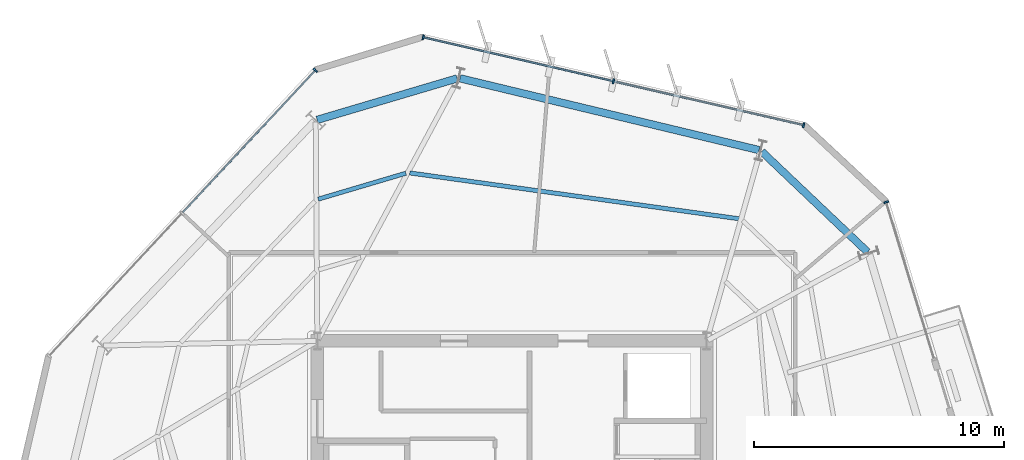
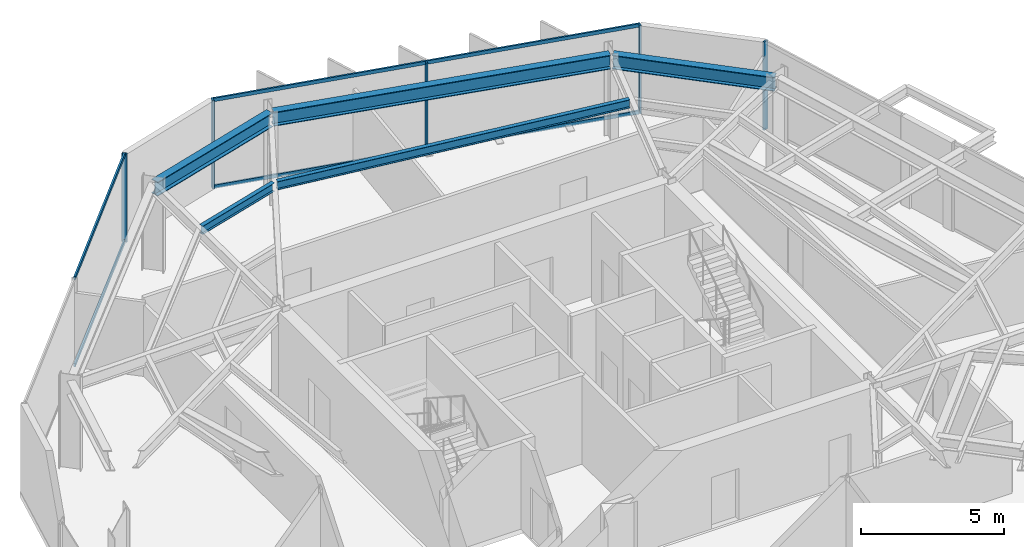
# One storey, part 5 of 11: 11 members, 5 beams, 3 elements without a shape of their own.
"""IFC4 building model written with IfcOpenShell, lengths in metres."""

from ifc_helpers import new_model, si_unit, direction, frame, origin, origin_2d, place, context, subcontext, project, spatial, rectangle, i_section, extrude, material, layer, layer_set, material_profile, profile_set, type_object, element, aggregate, save


model = new_model("IFC4")

# Units and contexts
model_context = context("Model", 3, precision=1e-05, world=origin(), true_north=direction((0.0, 1.0)))
body_context = subcontext(model_context, "Body", "Model", "MODEL_VIEW")
ifc_project = project(units=[si_unit("LENGTHUNIT", "METRE"), si_unit("AREAUNIT", "SQUARE_METRE"), si_unit("VOLUMEUNIT", "CUBIC_METRE"), si_unit("PLANEANGLEUNIT", "RADIAN"), si_unit("MASSUNIT", "GRAM", prefix="KILO")], contexts=[model_context])

# Site, building, storey
site_placement = place(None, origin())
site = spatial("IfcSite", under=ifc_project, at=site_placement, CompositionType="ELEMENT")
building_placement = place(site_placement, origin())
building = spatial("IfcBuilding", under=site, at=building_placement, Name="Kranzbogen Civic Tower", CompositionType="ELEMENT")
storey_placement = place(building_placement, frame((0.0, 0.0, 212.800048828125)))
storey = spatial("IfcBuildingStorey", under=building, at=storey_placement, Name="L51", CompositionType="ELEMENT", Elevation=212.800048828125)

# Curtain wall, members
ifc_material_1 = material(Name="Pale Anodised Aluminium", Category="aluminium")
ifc_layer = layer(ifc_material_1, 0.219970703125, Name="Pale Anodised Aluminium")
ifc_layer_set = layer_set([ifc_layer], Name="Pale Anodised Aluminium")
curtain_wall_type = type_object("IfcCurtainWallType", Name="Zone 3 Stick Curtain Wall System CW-04", PredefinedType="USERDEFINED", material=ifc_layer_set)
curtain_wall_1_placement = place(storey_placement, origin())
curtain_wall_1 = element("IfcCurtainWall", 1, at=curtain_wall_1_placement, inside=storey, type_object=curtain_wall_type, Name="L51 curtain wall CW-L51-F1", ObjectType="STICK CURTAIN WALL", PredefinedType="USERDEFINED")
ifc_material_profile_1 = material_profile(ifc_material_1, rectangle(XDim=0.070068359375, YDim=0.199951171875, at=origin_2d()), Name="ALU-M 70x200")
ifc_profile_set_1 = profile_set([ifc_material_profile_1], Name="Pale Anodised Aluminium")
member_type_1 = type_object("IfcMemberType", Name="Curtain Wall Mullion ALU-M 70x200", PredefinedType="MULLION", material=ifc_profile_set_1)
member_1_placement = place(storey_placement, frame((36.688720703125, 40.84765625, 0.0), z_axis=(0.0, 0.0, 1.0), x_axis=(-0.974365439579, 0.224971087375, 0.0)))
member_1 = element("IfcMember", 2, at=member_1_placement, type_object=member_type_1, Name="CW-04 mullion 1", PredefinedType="MULLION", context=body_context, shape_type="SweptSolid", body=[
    extrude(rectangle(XDim=0.070068359375, YDim=0.199951171875, at=origin_2d()), origin(), (0.0, 0.0, 1.0), 3.780029296875),
])
member_2_placement = place(storey_placement, frame((29.06494140625, 42.60791015625, 0.0), z_axis=(0.0, 0.0, 1.0), x_axis=(-0.974365439579, 0.224971087375, 0.0)))
member_2 = element("IfcMember", 3, at=member_2_placement, type_object=member_type_1, Name="CW-04 mullion 2", PredefinedType="MULLION", context=body_context, shape_type="SweptSolid", body=[
    extrude(rectangle(XDim=0.070068359375, YDim=0.199951171875, at=origin_2d()), origin(), (0.0, 0.0, 1.0), 3.780029296875),
])
member_3_placement = place(storey_placement, frame((21.441162109375, 44.3681640625, 0.0), z_axis=(0.0, 0.0, 1.0), x_axis=(-0.974365439579, 0.224971087375, 0.0)))
member_3 = element("IfcMember", 4, at=member_3_placement, type_object=member_type_1, Name="CW-04 mullion 3", PredefinedType="MULLION", context=body_context, shape_type="SweptSolid", body=[
    extrude(rectangle(XDim=0.070068359375, YDim=0.199951171875, at=origin_2d()), origin(), (0.0, 0.0, 1.0), 3.780029296875),
])

# Curtain wall, member
curtain_wall_2_placement = place(storey_placement, origin())
curtain_wall_2 = element("IfcCurtainWall", 5, at=curtain_wall_2_placement, inside=storey, type_object=curtain_wall_type, Name="L51 curtain wall CW-L51-F2", ObjectType="STICK CURTAIN WALL", PredefinedType="USERDEFINED")
member_4_placement = place(storey_placement, frame((17.11962890625, 43.047119140625, 0.0), z_axis=(0.0, 0.0, 1.0), x_axis=(-0.682007441156, -0.731345233257, 0.0)))
member_4 = element("IfcMember", 6, at=member_4_placement, type_object=member_type_1, Name="CW-04 mullion 1", PredefinedType="MULLION", context=body_context, shape_type="SweptSolid", body=[
    extrude(rectangle(XDim=0.070068359375, YDim=0.199951171875, at=origin_2d()), origin(), (0.0, 0.0, 1.0), 3.780029296875),
])

curtain_wall_3_placement = place(storey_placement, origin())
curtain_wall_3 = element("IfcCurtainWall", 7, at=curtain_wall_3_placement, inside=storey, type_object=curtain_wall_type, Name="L51 curtain wall CW-L51-F6-S2", ObjectType="STICK CURTAIN WALL", PredefinedType="USERDEFINED")
member_5_placement = place(storey_placement, frame((39.994873046875, 37.765380859375, 0.0), z_axis=(0.0, 0.0, 1.0), x_axis=(-0.292321628934, 0.956320064235, 0.0)))
member_5 = element("IfcMember", 8, at=member_5_placement, type_object=member_type_1, Name="CW-04 mullion 2", PredefinedType="MULLION", context=body_context, shape_type="SweptSolid", body=[
    extrude(rectangle(XDim=0.070068359375, YDim=0.199951171875, at=origin_2d()), origin(), (0.0, 0.0, 1.0), 3.780029296875),
])
aggregate(curtain_wall_3, [member_5])

# Member
ifc_material_profile_2 = material_profile(ifc_material_1, rectangle(XDim=0.070068359375, YDim=0.14990234375, at=origin_2d()), Name="ALU-T 70x150")
ifc_profile_set_2 = profile_set([ifc_material_profile_2], Name="Pale Anodised Aluminium")
member_type_2 = type_object("IfcMemberType", Name="Curtain Wall Transom ALU-T 70x150", PredefinedType="USERDEFINED", material=ifc_profile_set_2)
member_6_placement = place(storey_placement, frame((36.659423828125, 40.8544921875, 0.030029296875), z_axis=(-0.974362570015, 0.224983515295, 0.0), x_axis=(-0.224983515295, -0.974362570015, 0.0)))
member_6 = element("IfcMember", 9, at=member_6_placement, type_object=member_type_2, Name="CW-04 transom 1.1", ObjectType="TRANSOM", PredefinedType="USERDEFINED", context=body_context, shape_type="SweptSolid", body=[
    extrude(rectangle(XDim=0.070068359375, YDim=0.14990234375, at=origin_2d()), origin(), (0.0, 0.0, 1.0), 7.76416015625),
])

member_7_placement = place(storey_placement, frame((36.659423828125, 40.8544921875, 3.75), z_axis=(-0.974362570015, 0.224983515295, 0.0), x_axis=(-0.224983515295, -0.974362570015, 0.0)))
member_7 = element("IfcMember", 10, at=member_7_placement, type_object=member_type_2, Name="CW-04 transom 1.2", ObjectType="TRANSOM", PredefinedType="USERDEFINED", context=body_context, shape_type="SweptSolid", body=[
    extrude(rectangle(XDim=0.070068359375, YDim=0.14990234375, at=origin_2d()), origin(), (0.0, 0.0, 1.0), 7.76416015625),
])

member_8_placement = place(storey_placement, frame((29.035888671875, 42.61474609375, 0.030029296875), z_axis=(-0.974364161573, 0.224976622436, 0.0), x_axis=(-0.224976622436, -0.974364161573, 0.0)))
member_8 = element("IfcMember", 11, at=member_8_placement, type_object=member_type_2, Name="CW-04 transom 2.1", ObjectType="TRANSOM", PredefinedType="USERDEFINED", context=body_context, shape_type="SweptSolid", body=[
    extrude(rectangle(XDim=0.070068359375, YDim=0.14990234375, at=origin_2d()), origin(), (0.0, 0.0, 1.0), 7.764404296875),
])

member_9_placement = place(storey_placement, frame((29.035888671875, 42.61474609375, 3.75), z_axis=(-0.974364161573, 0.224976622436, 0.0), x_axis=(-0.224976622436, -0.974364161573, 0.0)))
member_9 = element("IfcMember", 12, at=member_9_placement, type_object=member_type_2, Name="CW-04 transom 2.2", ObjectType="TRANSOM", PredefinedType="USERDEFINED", context=body_context, shape_type="SweptSolid", body=[
    extrude(rectangle(XDim=0.070068359375, YDim=0.14990234375, at=origin_2d()), origin(), (0.0, 0.0, 1.0), 7.764404296875),
])

aggregate(curtain_wall_1, [member_1, member_2, member_3, member_6, member_7, member_8, member_9])

member_10_placement = place(storey_placement, frame((17.09912109375, 43.025146484375, 0.030029296875), z_axis=(-0.682007848151, -0.731344853718, 0.0), x_axis=(0.731344853718, -0.682007848151, 0.0)))
member_10 = element("IfcMember", 13, at=member_10_placement, type_object=member_type_2, Name="CW-04 transom 1.1", ObjectType="TRANSOM", PredefinedType="USERDEFINED", context=body_context, shape_type="SweptSolid", body=[
    extrude(rectangle(XDim=0.070068359375, YDim=0.14990234375, at=origin_2d()), origin(), (0.0, 0.0, 1.0), 7.76416015625),
])

member_11_placement = place(storey_placement, frame((17.09912109375, 43.025146484375, 3.75), z_axis=(-0.682007848151, -0.731344853718, 0.0), x_axis=(0.731344853718, -0.682007848151, 0.0)))
member_11 = element("IfcMember", 14, at=member_11_placement, type_object=member_type_2, Name="CW-04 transom 1.2", ObjectType="TRANSOM", PredefinedType="USERDEFINED", context=body_context, shape_type="SweptSolid", body=[
    extrude(rectangle(XDim=0.070068359375, YDim=0.14990234375, at=origin_2d()), origin(), (0.0, 0.0, 1.0), 7.76416015625),
])

aggregate(curtain_wall_2, [member_4, member_10, member_11])

# Beams
ifc_material_2 = material(Name="Steel S355", Category="steel")
ifc_material_profile_3 = material_profile(ifc_material_2, i_section(OverallWidth=0.300048828125, OverallDepth=0.60009765625, WebThickness=0.015380859375, FlangeThickness=0.030029296875, at=origin_2d()), Name="HEB 600")
ifc_profile_set_3 = profile_set([ifc_material_profile_3], Name="Steel S355")
beam_type_1 = type_object("IfcBeamType", Name="Perimeter Tube Spandrel Beam HEB 600", PredefinedType="SPANDREL", material=ifc_profile_set_3)
beam_1_placement = place(storey_placement, frame((39.2490234375, 35.764892578125, 3.47998046875), z_axis=(-0.725245206788, 0.688490660816, 0.0), x_axis=(-0.688490660816, -0.725245206788, 0.0)))
element("IfcBeam", 15, at=beam_1_placement, inside=storey, type_object=beam_type_1, Name="L51 perimeter spandrel beam 07", PredefinedType="SPANDREL", context=body_context, shape_type="SweptSolid", body=[
    extrude(i_section(OverallWidth=0.300048828125, OverallDepth=0.60009765625, WebThickness=0.015380859375, FlangeThickness=0.030029296875, at=origin_2d()), origin(), (0.0, 0.0, 1.0), 5.85205078125),
])
beam_2_placement = place(storey_placement, frame((34.903076171875, 39.84912109375, 3.47998046875), z_axis=(-0.972377592092, 0.233413406637, 0.0), x_axis=(-0.233413406637, -0.972377592092, 0.0)))
element("IfcBeam", 16, at=beam_2_placement, inside=storey, type_object=beam_type_1, Name="L51 perimeter spandrel beam 08", PredefinedType="SPANDREL", context=body_context, shape_type="SweptSolid", body=[
    extrude(i_section(OverallWidth=0.300048828125, OverallDepth=0.60009765625, WebThickness=0.015380859375, FlangeThickness=0.030029296875, at=origin_2d()), origin(), (0.0, 0.0, 1.0), 12.32568359375),
])
beam_3_placement = place(storey_placement, frame((22.802001953125, 42.722900390625, 3.47998046875), z_axis=(-0.9588296723, -0.283981794341, 0.0), x_axis=(0.283981794341, -0.9588296723, 0.0)))
element("IfcBeam", 17, at=beam_3_placement, inside=storey, type_object=beam_type_1, Name="L51 perimeter spandrel beam 09", PredefinedType="SPANDREL", context=body_context, shape_type="SweptSolid", body=[
    extrude(i_section(OverallWidth=0.300048828125, OverallDepth=0.60009765625, WebThickness=0.015380859375, FlangeThickness=0.030029296875, at=origin_2d()), origin(), (0.0, 0.0, 1.0), 5.85205078125),
])
ifc_material_profile_4 = material_profile(ifc_material_2, i_section(OverallWidth=0.169921875, OverallDepth=0.360107421875, WebThickness=0.008056640625, FlangeThickness=0.0126953125, at=origin_2d()), Name="IPE 360")
ifc_profile_set_4 = profile_set([ifc_material_profile_4], Name="Steel S355")
beam_type_2 = type_object("IfcBeamType", Name="Secondary Composite Floor Joist IPE 360", PredefinedType="JOIST", material=ifc_profile_set_4)
beam_4_placement = place(storey_placement, frame((34.10400390625, 37.096923828125, 3.599853515625), z_axis=(-0.990445837232, 0.137902296968, 0.0), x_axis=(-0.137902296968, -0.990445837232, 0.0)))
element("IfcBeam", 18, at=beam_4_placement, inside=storey, type_object=beam_type_2, Name="L51 secondary floor joist 1.08", PredefinedType="JOIST", context=body_context, shape_type="SweptSolid", body=[
    extrude(i_section(OverallWidth=0.169921875, OverallDepth=0.360107421875, WebThickness=0.008056640625, FlangeThickness=0.0126953125, at=origin_2d()), origin(), (0.0, 0.0, 1.0), 13.329345703125),
])
beam_5_placement = place(storey_placement, frame((20.74609375, 38.923095703125, 3.599853515625), z_axis=(-0.958843823165, -0.283934011309, 0.0), x_axis=(0.283934011309, -0.958843823165, 0.0)))
element("IfcBeam", 19, at=beam_5_placement, inside=storey, type_object=beam_type_2, Name="L51 secondary floor joist 1.09", PredefinedType="JOIST", context=body_context, shape_type="SweptSolid", body=[
    extrude(i_section(OverallWidth=0.169921875, OverallDepth=0.360107421875, WebThickness=0.008056640625, FlangeThickness=0.0126953125, at=origin_2d()), origin(), (0.0, 0.0, 1.0), 3.662841796875),
])

save(model, "model.ifc")
